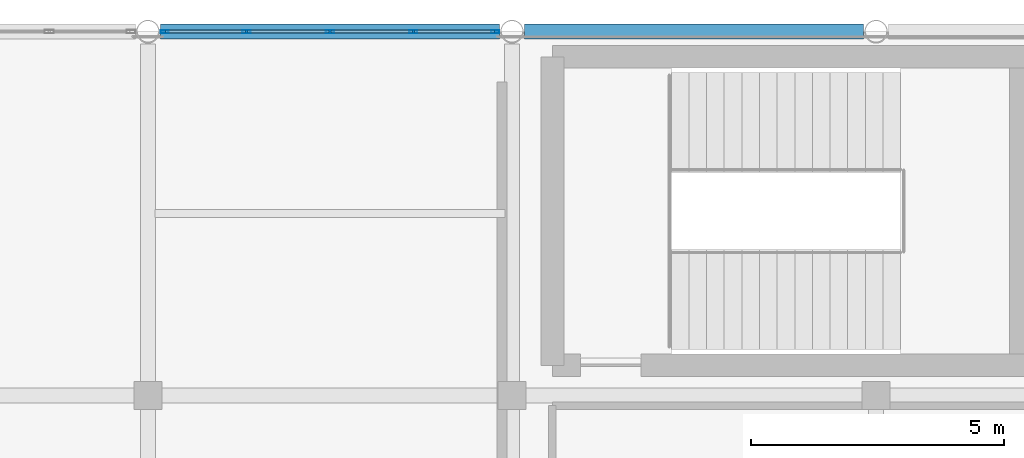
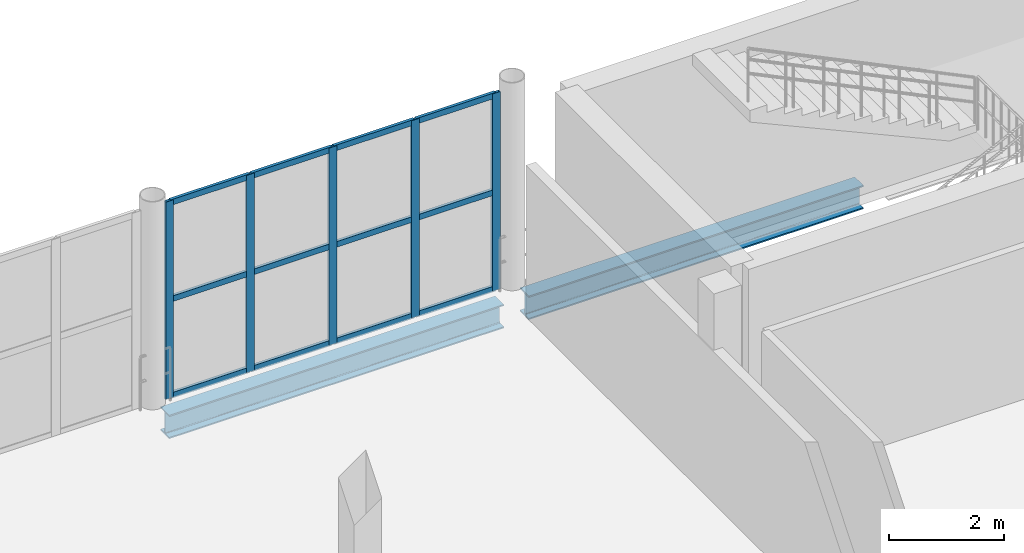
# One storey, part 47 of 81: 17 members, 2 beams, 1 element without a shape of its own.
"""IFC4 building model written with IfcOpenShell, lengths in metres."""

import ifcopenshell
import ifcopenshell.guid

model = None  # the IFC model being written
_history = None  # IfcOwnerHistory: only IFC2X3 demands one
_inside = {}  # id of a spatial element -> (the spatial element, [elements in it])
_under = {}  # id of a project, library or spatial element -> (it, [spatial elements below it])
_declared = {}  # id of a project -> (the project, [libraries it declares])
_typed = {}  # id of a type object -> (the type object, [elements of that type])
_made_of = {}  # id of a material, layer set ... -> (it, [elements and type objects made of it])


def new_model(schema):
    """Start an empty IFC model of exactly this schema.

    Asked for "IFC4X3", IfcOpenShell would pick the latest addendum, in which some entities
    have other attributes; the version numbers below select the first issue.
    IFC2X3 requires an IfcOwnerHistory on every rooted entity: one is made here for all.
    """
    global model, _history
    if schema == "IFC4X3":
        model = ifcopenshell.file(schema_version=(4, 3, 0, 0))
    else:
        model = ifcopenshell.file(schema=schema)
    _inside.clear()
    _under.clear()
    _declared.clear()
    _typed.clear()
    _made_of.clear()
    _history = None
    if model.schema == "IFC2X3":
        org = make("IfcOrganization", Name="unknown")
        user = make(
            "IfcPersonAndOrganization",
            ThePerson=make("IfcPerson", FamilyName="unknown"),
            TheOrganization=org,
        )
        app = make(
            "IfcApplication",
            ApplicationDeveloper=org,
            Version="unknown",
            ApplicationFullName="unknown",
            ApplicationIdentifier="unknown",
        )
        _history = make(
            "IfcOwnerHistory",
            OwningUser=user,
            OwningApplication=app,
            ChangeAction="ADDED",
            CreationDate=0,
        )
    return model


def make(cls, **values):
    """One entity of the class cls with the attributes given. An attribute that is None is left unset."""
    return model.create_entity(
        cls, **{name: value for name, value in values.items() if value is not None}
    )


def rooted(cls, **values):
    """An entity with a GlobalId (a new one), such as an element, a storey or a relation."""
    return make(cls, GlobalId=ifcopenshell.guid.new(), OwnerHistory=_history, **values)


def si_unit(unit_type, name, prefix=None):
    """IfcSIUnit, for example si_unit("LENGTHUNIT", "METRE", prefix="MILLI")."""
    return make("IfcSIUnit", UnitType=unit_type, Prefix=prefix, Name=name)


def assignment(units):
    """IfcUnitAssignment: the units of a project."""
    return None if units is None else make("IfcUnitAssignment", Units=units)


def point(xyz):
    """IfcCartesianPoint."""
    return None if xyz is None else make("IfcCartesianPoint", Coordinates=xyz)


def direction(xyz):
    """IfcDirection."""
    return None if xyz is None else make("IfcDirection", DirectionRatios=xyz)


def frame(location, z_axis=None, x_axis=None):
    """IfcAxis2Placement3D, a coordinate frame: its origin and axes. An axis left out is left unset."""
    return make(
        "IfcAxis2Placement3D",
        Location=point(location),
        Axis=direction(z_axis),
        RefDirection=direction(x_axis),
    )


def frame_2d(location, x_axis=None):
    """IfcAxis2Placement2D, a coordinate frame in the plane: its origin and x axis."""
    return make(
        "IfcAxis2Placement2D", Location=point(location), RefDirection=direction(x_axis)
    )


def origin():
    """The frame at (0, 0, 0) with its axes left unset."""
    return frame((0.0, 0.0, 0.0))


def origin_2d():
    """The frame at (0, 0) in the plane with its x axis left unset."""
    return frame_2d((0.0, 0.0))


def place(relative_to, where):
    """IfcLocalPlacement: puts the frame where relative to a parent placement (None: the world)."""
    return make(
        "IfcLocalPlacement", PlacementRelTo=relative_to, RelativePlacement=where
    )


def context(
    kind, dimensions, precision=None, world=None, true_north=None, identifier=None
):
    """IfcGeometricRepresentationContext, for example the 3D "Model" context."""
    return make(
        "IfcGeometricRepresentationContext",
        ContextIdentifier=identifier,
        ContextType=kind,
        CoordinateSpaceDimension=dimensions,
        Precision=precision,
        WorldCoordinateSystem=world,
        TrueNorth=true_north,
    )


def subcontext(parent, identifier, kind, view, scale=None):
    """IfcGeometricRepresentationSubContext, for example "Body" below "Model"."""
    return make(
        "IfcGeometricRepresentationSubContext",
        ContextIdentifier=identifier,
        ContextType=kind,
        ParentContext=parent,
        TargetScale=scale,
        TargetView=view,
    )


def project(units=None, contexts=None):
    """IfcProject with its units and contexts."""
    return rooted(
        "IfcProject",
        Name="project",
        RepresentationContexts=contexts,
        UnitsInContext=assignment(units),
    )


def spatial(cls, under=None, at=None, **own):
    """A site, building, storey or space (cls), placed at a placement, below another one or the project."""
    s = rooted(cls, ObjectPlacement=at, **own)
    if under is not None:
        _under.setdefault(under.id(), (under, []))[1].append(s)
    return s


def profile(cls, at=None, kind="AREA", **sizes):
    """A parametric profile (cls). Its sizes go by their IFC names, for example OverallWidth=200.0."""
    return make(cls, ProfileType=kind, Position=at, **sizes)


def hollow_rectangle(**sizes):
    """IfcRectangleHollowProfileDef."""
    return profile("IfcRectangleHollowProfileDef", **sizes)


def i_section(**sizes):
    """IfcIShapeProfileDef."""
    return profile("IfcIShapeProfileDef", **sizes)


def extrude(swept, where, along, depth):
    """IfcExtrudedAreaSolid: the profile swept, set in the frame where, extruded along a direction by depth."""
    return make(
        "IfcExtrudedAreaSolid",
        SweptArea=swept,
        Position=where,
        ExtrudedDirection=direction(along),
        Depth=depth,
    )


def shape(context_of_items, identifier, shape_type, items):
    """IfcShapeRepresentation: the items that make up one representation, for example the "Body"."""
    return make(
        "IfcShapeRepresentation",
        ContextOfItems=context_of_items,
        RepresentationIdentifier=identifier,
        RepresentationType=shape_type,
        Items=items,
    )


def material(Name=None, Category=None):
    """IfcMaterial."""
    return make("IfcMaterial", Name=Name, Category=Category)


def material_profile(
    of_material, cross_section, Name=None, Category=None, Priority=None
):
    """IfcMaterialProfile: a cross section and its material."""
    return make(
        "IfcMaterialProfile",
        Name=Name,
        Material=of_material,
        Profile=cross_section,
        Priority=Priority,
        Category=Category,
    )


def profile_set(profiles, Name=None, composite=None):
    """IfcMaterialProfileSet."""
    return make(
        "IfcMaterialProfileSet",
        Name=Name,
        MaterialProfiles=profiles,
        CompositeProfile=composite,
    )


def made_of(thing, what):
    """Note that an element or type object is made of a material, layer set ...; save() writes the relation."""
    if what is not None:
        _made_of.setdefault(what.id(), (what, []))[1].append(thing)
    return thing


def type_object(cls, material=None, **own):
    """A type object (cls), such as IfcWallType, which elements share."""
    return made_of(rooted(cls, **own), material)


def element(
    cls,
    number,
    at=None,
    inside=None,
    cuts=None,
    type_object=None,
    material=None,
    context=None,
    identifier="Body",
    shape_type=None,
    held_by="IfcProductDefinitionShape",
    body=None,
    shapes=None,
    **own,
):
    """One element of the class cls, such as IfcWall. Its Tag is "e" and its number.

    at: its placement. inside: the storey or other place that contains it. cuts: it is an
    opening in that element (IfcRelVoidsElement). A single representation is given by context,
    identifier, shape_type and body (its items); several are given by shapes. held_by: the class
    of the entity that holds the representations. save() writes the other relations.
    """
    e = rooted(cls, Tag="e%d" % number, ObjectPlacement=at, **own)
    if body is not None:
        shapes = [shape(context, identifier, shape_type, body)]
    if shapes is not None:
        e.Representation = make(held_by, Representations=shapes)
    if inside is not None:
        _inside.setdefault(inside.id(), (inside, []))[1].append(e)
    if cuts is not None:
        rooted(
            "IfcRelVoidsElement", RelatingBuildingElement=cuts, RelatedOpeningElement=e
        )
    if type_object is not None:
        _typed.setdefault(type_object.id(), (type_object, []))[1].append(e)
    return made_of(e, material)


def aggregate(whole, parts):
    """IfcRelAggregates: a whole, such as a stair, and the parts it consists of."""
    return rooted("IfcRelAggregates", RelatingObject=whole, RelatedObjects=parts)


def save(model, path):
    """Write the relations noted so far, then the file.

    IfcRelAggregates (storeys below a building ...), IfcRelContainedInSpatialStructure (elements
    in a storey), IfcRelDefinesByType, IfcRelAssociatesMaterial and IfcRelDeclares: one each for
    every whole, place, type object, material and project.
    """
    for whole, parts in _under.values():
        aggregate(whole, parts)
    for where, things in _inside.values():
        rooted(
            "IfcRelContainedInSpatialStructure",
            RelatedElements=things,
            RelatingStructure=where,
        )
    for kind, things in _typed.values():
        rooted("IfcRelDefinesByType", RelatedObjects=things, RelatingType=kind)
    for what, things in _made_of.values():
        rooted("IfcRelAssociatesMaterial", RelatedObjects=things, RelatingMaterial=what)
    for by, libraries in _declared.values():
        rooted("IfcRelDeclares", RelatingContext=by, RelatedDefinitions=libraries)
    model.write(path)


model = new_model("IFC4")

# Units and contexts
model_context = context("Model", 3, precision=1e-05, world=origin(), true_north=direction((0.0, 1.0)))
body_context = subcontext(model_context, "Body", "Model", "MODEL_VIEW")
ifc_project = project(units=[si_unit("LENGTHUNIT", "METRE"), si_unit("AREAUNIT", "SQUARE_METRE"), si_unit("VOLUMEUNIT", "CUBIC_METRE"), si_unit("PLANEANGLEUNIT", "RADIAN"), si_unit("MASSUNIT", "GRAM", prefix="KILO")], contexts=[model_context])

# Site, building, storey
site_placement = place(None, origin())
site = spatial("IfcSite", under=ifc_project, at=site_placement, CompositionType="ELEMENT")
building_placement = place(site_placement, origin())
building = spatial("IfcBuilding", under=site, at=building_placement, Name="Qandorah Velis Arena", CompositionType="ELEMENT")
storey_placement = place(building_placement, frame((0.0, 0.0, 18.60009765625)))
storey = spatial("IfcBuildingStorey", under=building, at=storey_placement, Name="L04", CompositionType="ELEMENT", Elevation=18.60009765625)

# Curtain wall, members
ifc_material_1 = material(Name="Solar-control low-E double glazing", Category="glass")
curtain_wall_type = type_object("IfcCurtainWallType", Name="ARC-CW-SYS23", PredefinedType="USERDEFINED", material=ifc_material_1)
curtain_wall_placement = place(storey_placement, origin())
curtain_wall = element("IfcCurtainWall", 1, at=curtain_wall_placement, inside=storey, type_object=curtain_wall_type, Name="Unitised curtain wall L04-095", ObjectType="UNITISED CURTAIN WALL", PredefinedType="USERDEFINED")
ifc_material_2 = material(Name="Champagne-bronze anodized aluminium 6063-T6", Category="aluminium")
ifc_material_profile_1 = material_profile(ifc_material_2, hollow_rectangle(XDim=0.06005859375, YDim=0.159912109375, WallThickness=0.00341796875, at=origin_2d()), Name="ALU MULLION 60x160")
ifc_profile_set_1 = profile_set([ifc_material_profile_1], Name="Champagne-bronze anodized aluminium 6063-T6")
member_type_1 = type_object("IfcMemberType", Name="ARC-CWM-160", PredefinedType="MULLION", material=ifc_profile_set_1)
member_1_placement = place(storey_placement, frame((65.1298828125, 129.60009765625, -0.01513671875), z_axis=(0.0, 0.0, 1.0), x_axis=(0.0, 1.0, 0.0)))
member_1 = element("IfcMember", 2, at=member_1_placement, type_object=member_type_1, Name="CW23 mullion 1", PredefinedType="MULLION", context=body_context, shape_type="SweptSolid", body=[
    extrude(hollow_rectangle(XDim=0.06005859375, YDim=0.159912109375, WallThickness=0.00341796875, at=origin_2d()), origin(), (0.0, 0.0, 1.0), 4.179931640625),
])
member_2_placement = place(storey_placement, frame((66.75, 129.60009765625, -0.01513671875), z_axis=(0.0, 0.0, 1.0), x_axis=(0.0, 1.0, 0.0)))
member_2 = element("IfcMember", 3, at=member_2_placement, type_object=member_type_1, Name="CW23 mullion 2", PredefinedType="MULLION", context=body_context, shape_type="SweptSolid", body=[
    extrude(hollow_rectangle(XDim=0.06005859375, YDim=0.159912109375, WallThickness=0.00341796875, at=origin_2d()), origin(), (0.0, 0.0, 1.0), 4.179931640625),
])
member_3_placement = place(storey_placement, frame((68.39990234375, 129.60009765625, -0.01513671875), z_axis=(0.0, 0.0, 1.0), x_axis=(0.0, 1.0, 0.0)))
member_3 = element("IfcMember", 4, at=member_3_placement, type_object=member_type_1, Name="CW23 mullion 3", PredefinedType="MULLION", context=body_context, shape_type="SweptSolid", body=[
    extrude(hollow_rectangle(XDim=0.06005859375, YDim=0.159912109375, WallThickness=0.00341796875, at=origin_2d()), origin(), (0.0, 0.0, 1.0), 4.179931640625),
])
member_4_placement = place(storey_placement, frame((70.050048828125, 129.60009765625, -0.01513671875), z_axis=(0.0, 0.0, 1.0), x_axis=(0.0, 1.0, 0.0)))
member_4 = element("IfcMember", 5, at=member_4_placement, type_object=member_type_1, Name="CW23 mullion 4", PredefinedType="MULLION", context=body_context, shape_type="SweptSolid", body=[
    extrude(hollow_rectangle(XDim=0.06005859375, YDim=0.159912109375, WallThickness=0.00341796875, at=origin_2d()), origin(), (0.0, 0.0, 1.0), 4.179931640625),
])
member_5_placement = place(storey_placement, frame((71.669921875, 129.60009765625, -0.01513671875), z_axis=(0.0, 0.0, 1.0), x_axis=(0.0, 1.0, 0.0)))
member_5 = element("IfcMember", 6, at=member_5_placement, type_object=member_type_1, Name="CW23 mullion 5", PredefinedType="MULLION", context=body_context, shape_type="SweptSolid", body=[
    extrude(hollow_rectangle(XDim=0.06005859375, YDim=0.159912109375, WallThickness=0.00341796875, at=origin_2d()), origin(), (0.0, 0.0, 1.0), 4.179931640625),
])
ifc_material_profile_2 = material_profile(ifc_material_2, hollow_rectangle(XDim=0.06005859375, YDim=0.1201171875, WallThickness=0.0029296875, at=origin_2d()), Name="ALU TRANSOM 60x120")
ifc_profile_set_2 = profile_set([ifc_material_profile_2], Name="Champagne-bronze anodized aluminium 6063-T6")
member_type_2 = type_object("IfcMemberType", Name="ARC-CWT-120", PredefinedType="USERDEFINED", material=ifc_profile_set_2)
member_6_placement = place(storey_placement, frame((65.14794921875, 129.60009765625, 0.02978515625), z_axis=(1.0, 0.0, 0.0), x_axis=(0.0, 1.0, 0.0)))
member_6 = element("IfcMember", 7, at=member_6_placement, type_object=member_type_2, Name="CW23 transom 1.1", ObjectType="TRANSOM", PredefinedType="USERDEFINED", context=body_context, shape_type="SweptSolid", body=[
    extrude(hollow_rectangle(XDim=0.06005859375, YDim=0.1201171875, WallThickness=0.0029296875, at=origin_2d()), origin(), (0.0, 0.0, 1.0), 1.583984375),
])
member_7_placement = place(storey_placement, frame((65.14794921875, 129.60009765625, 2.074951171875), z_axis=(1.0, 0.0, 0.0), x_axis=(0.0, 1.0, 0.0)))
member_7 = element("IfcMember", 8, at=member_7_placement, type_object=member_type_2, Name="CW23 transom 1.2", ObjectType="TRANSOM", PredefinedType="USERDEFINED", context=body_context, shape_type="SweptSolid", body=[
    extrude(hollow_rectangle(XDim=0.06005859375, YDim=0.1201171875, WallThickness=0.0029296875, at=origin_2d()), origin(), (0.0, 0.0, 1.0), 1.583984375),
])
member_8_placement = place(storey_placement, frame((65.14794921875, 129.60009765625, 4.119873046875), z_axis=(1.0, 0.0, 0.0), x_axis=(0.0, 1.0, 0.0)))
member_8 = element("IfcMember", 9, at=member_8_placement, type_object=member_type_2, Name="CW23 transom 1.3", ObjectType="TRANSOM", PredefinedType="USERDEFINED", context=body_context, shape_type="SweptSolid", body=[
    extrude(hollow_rectangle(XDim=0.06005859375, YDim=0.1201171875, WallThickness=0.0029296875, at=origin_2d()), origin(), (0.0, 0.0, 1.0), 1.583984375),
])
member_9_placement = place(storey_placement, frame((66.76806640625, 129.60009765625, 0.02978515625), z_axis=(1.0, 0.0, 0.0), x_axis=(0.0, 1.0, 0.0)))
member_9 = element("IfcMember", 10, at=member_9_placement, type_object=member_type_2, Name="CW23 transom 2.1", ObjectType="TRANSOM", PredefinedType="USERDEFINED", context=body_context, shape_type="SweptSolid", body=[
    extrude(hollow_rectangle(XDim=0.06005859375, YDim=0.1201171875, WallThickness=0.0029296875, at=origin_2d()), origin(), (0.0, 0.0, 1.0), 1.614013671875),
])
member_10_placement = place(storey_placement, frame((66.76806640625, 129.60009765625, 2.074951171875), z_axis=(1.0, 0.0, 0.0), x_axis=(0.0, 1.0, 0.0)))
member_10 = element("IfcMember", 11, at=member_10_placement, type_object=member_type_2, Name="CW23 transom 2.2", ObjectType="TRANSOM", PredefinedType="USERDEFINED", context=body_context, shape_type="SweptSolid", body=[
    extrude(hollow_rectangle(XDim=0.06005859375, YDim=0.1201171875, WallThickness=0.0029296875, at=origin_2d()), origin(), (0.0, 0.0, 1.0), 1.614013671875),
])
member_11_placement = place(storey_placement, frame((66.76806640625, 129.60009765625, 4.119873046875), z_axis=(1.0, 0.0, 0.0), x_axis=(0.0, 1.0, 0.0)))
member_11 = element("IfcMember", 12, at=member_11_placement, type_object=member_type_2, Name="CW23 transom 2.3", ObjectType="TRANSOM", PredefinedType="USERDEFINED", context=body_context, shape_type="SweptSolid", body=[
    extrude(hollow_rectangle(XDim=0.06005859375, YDim=0.1201171875, WallThickness=0.0029296875, at=origin_2d()), origin(), (0.0, 0.0, 1.0), 1.614013671875),
])
member_12_placement = place(storey_placement, frame((68.41796875, 129.60009765625, 0.02978515625), z_axis=(1.0, 0.0, 0.0), x_axis=(0.0, 1.0, 0.0)))
member_12 = element("IfcMember", 13, at=member_12_placement, type_object=member_type_2, Name="CW23 transom 3.1", ObjectType="TRANSOM", PredefinedType="USERDEFINED", context=body_context, shape_type="SweptSolid", body=[
    extrude(hollow_rectangle(XDim=0.06005859375, YDim=0.1201171875, WallThickness=0.0029296875, at=origin_2d()), origin(), (0.0, 0.0, 1.0), 1.614013671875),
])
member_13_placement = place(storey_placement, frame((68.41796875, 129.60009765625, 2.074951171875), z_axis=(1.0, 0.0, 0.0), x_axis=(0.0, 1.0, 0.0)))
member_13 = element("IfcMember", 14, at=member_13_placement, type_object=member_type_2, Name="CW23 transom 3.2", ObjectType="TRANSOM", PredefinedType="USERDEFINED", context=body_context, shape_type="SweptSolid", body=[
    extrude(hollow_rectangle(XDim=0.06005859375, YDim=0.1201171875, WallThickness=0.0029296875, at=origin_2d()), origin(), (0.0, 0.0, 1.0), 1.614013671875),
])
member_14_placement = place(storey_placement, frame((68.41796875, 129.60009765625, 4.119873046875), z_axis=(1.0, 0.0, 0.0), x_axis=(0.0, 1.0, 0.0)))
member_14 = element("IfcMember", 15, at=member_14_placement, type_object=member_type_2, Name="CW23 transom 3.3", ObjectType="TRANSOM", PredefinedType="USERDEFINED", context=body_context, shape_type="SweptSolid", body=[
    extrude(hollow_rectangle(XDim=0.06005859375, YDim=0.1201171875, WallThickness=0.0029296875, at=origin_2d()), origin(), (0.0, 0.0, 1.0), 1.614013671875),
])
member_15_placement = place(storey_placement, frame((70.068115234375, 129.60009765625, 0.02978515625), z_axis=(1.0, 0.0, 0.0), x_axis=(0.0, 1.0, 0.0)))
member_15 = element("IfcMember", 16, at=member_15_placement, type_object=member_type_2, Name="CW23 transom 4.1", ObjectType="TRANSOM", PredefinedType="USERDEFINED", context=body_context, shape_type="SweptSolid", body=[
    extrude(hollow_rectangle(XDim=0.06005859375, YDim=0.1201171875, WallThickness=0.0029296875, at=origin_2d()), origin(), (0.0, 0.0, 1.0), 1.583984375),
])
member_16_placement = place(storey_placement, frame((70.068115234375, 129.60009765625, 2.074951171875), z_axis=(1.0, 0.0, 0.0), x_axis=(0.0, 1.0, 0.0)))
member_16 = element("IfcMember", 17, at=member_16_placement, type_object=member_type_2, Name="CW23 transom 4.2", ObjectType="TRANSOM", PredefinedType="USERDEFINED", context=body_context, shape_type="SweptSolid", body=[
    extrude(hollow_rectangle(XDim=0.06005859375, YDim=0.1201171875, WallThickness=0.0029296875, at=origin_2d()), origin(), (0.0, 0.0, 1.0), 1.583984375),
])
member_17_placement = place(storey_placement, frame((70.068115234375, 129.60009765625, 4.119873046875), z_axis=(1.0, 0.0, 0.0), x_axis=(0.0, 1.0, 0.0)))
member_17 = element("IfcMember", 18, at=member_17_placement, type_object=member_type_2, Name="CW23 transom 4.3", ObjectType="TRANSOM", PredefinedType="USERDEFINED", context=body_context, shape_type="SweptSolid", body=[
    extrude(hollow_rectangle(XDim=0.06005859375, YDim=0.1201171875, WallThickness=0.0029296875, at=origin_2d()), origin(), (0.0, 0.0, 1.0), 1.583984375),
])
aggregate(curtain_wall, [member_1, member_2, member_3, member_4, member_5, member_6, member_7, member_8, member_9, member_10, member_11, member_12, member_13, member_14, member_15, member_16, member_17])

# Beams
ifc_material_3 = material(Name="Steel S355", Category="steel")
ifc_material_profile_3 = material_profile(ifc_material_3, i_section(OverallWidth=0.300048828125, OverallDepth=0.5, WebThickness=0.014404296875, FlangeThickness=0.028076171875, FilletRadius=0.027099609375, at=origin_2d()), Name="HEB 500")
ifc_profile_set_3 = profile_set([ifc_material_profile_3], Name="Steel S355")
beam_type = type_object("IfcBeamType", Name="STR-BM-HEB500", PredefinedType="BEAM", material=ifc_profile_set_3)
for number, where, z_axis, x_axis, name in (
    (19, (65.050048828125, 129.60009765625, -0.52001953125), (1.0, 0.0, 0.0), (0.0, 1.0, 0.0), "Primary floor girder L04 X-139"),
    (20, (72.25, 129.60009765625, -0.52001953125), (1.0, 0.0, 0.0), (0.0, 1.0, 0.0), "Primary floor girder L04 X-140"),
):
    element("IfcBeam", number, at=place(storey_placement, frame(where, z_axis=z_axis, x_axis=x_axis)), inside=storey, type_object=beam_type, Name=name, PredefinedType="BEAM", context=body_context, shape_type="SweptSolid", body=[
        extrude(i_section(OverallWidth=0.300048828125, OverallDepth=0.5, WebThickness=0.014404296875, FlangeThickness=0.028076171875, FilletRadius=0.027099609375, at=origin_2d()), origin(), (0.0, 0.0, 1.0), 6.699951171875),
    ])

save(model, "model.ifc")
